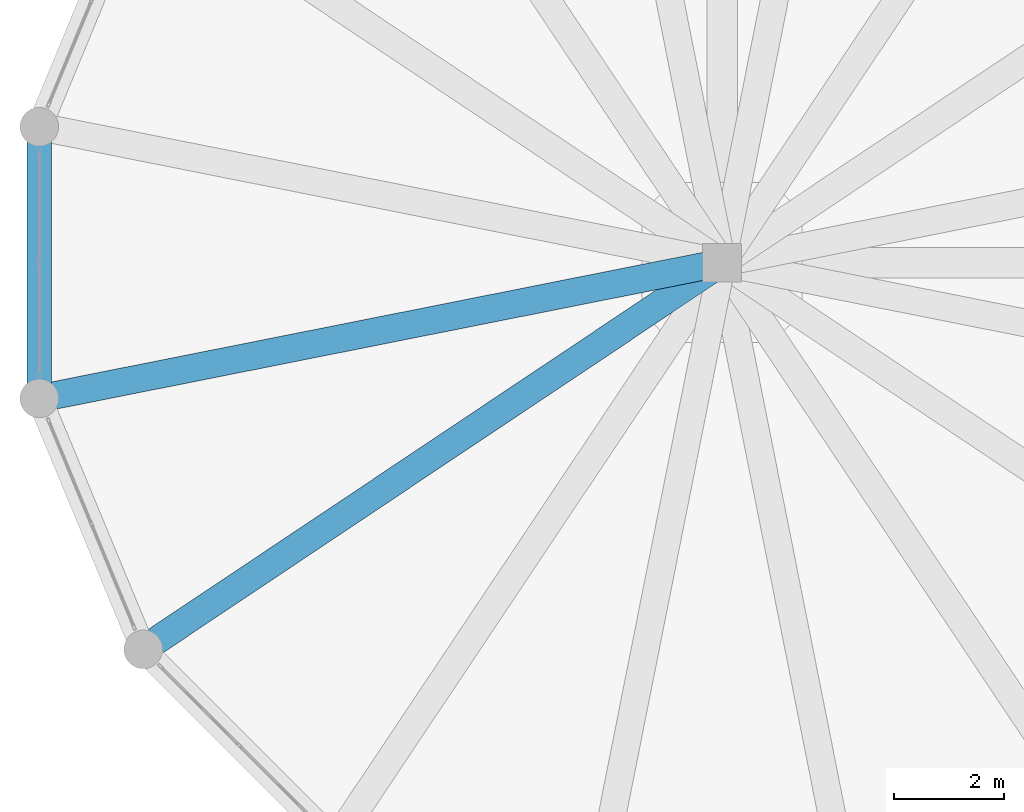
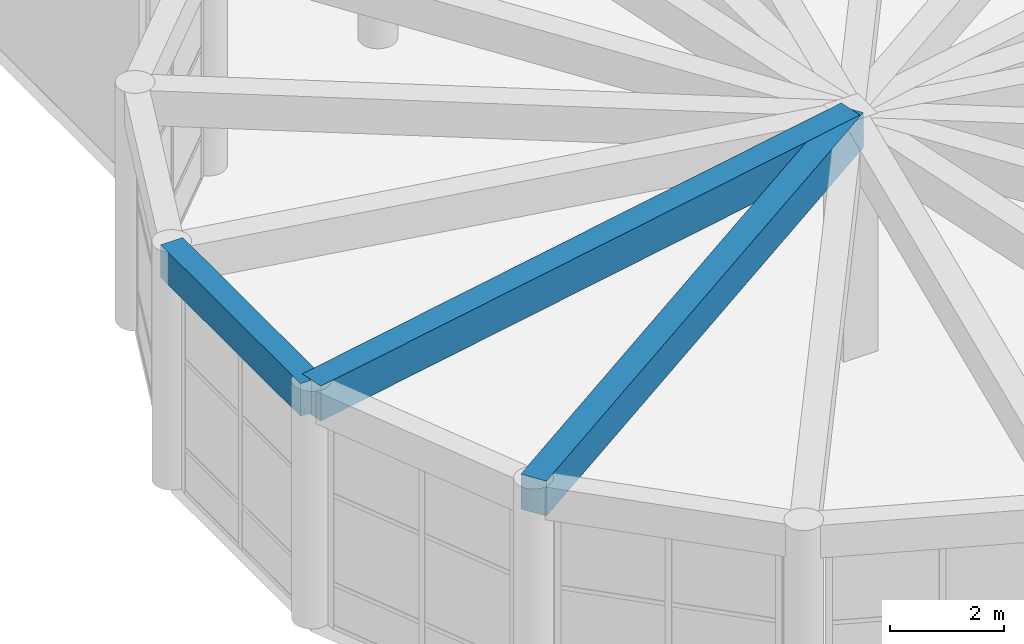
# One storey, part 8 of 96: 3 beams.
"""IFC4 building model written with IfcOpenShell, lengths in metres."""

from ifc_helpers import new_model, si_unit, direction, frame, origin, origin_2d, place, context, subcontext, project, spatial, rectangle, extrude, material, material_profile, profile_set, type_object, element, save


model = new_model("IFC4")

# Units and contexts
model_context = context("Model", 3, precision=1e-05, world=origin(), true_north=direction((0.0, 1.0)))
body_context = subcontext(model_context, "Body", "Model", "MODEL_VIEW")
ifc_project = project(units=[si_unit("LENGTHUNIT", "METRE"), si_unit("AREAUNIT", "SQUARE_METRE"), si_unit("VOLUMEUNIT", "CUBIC_METRE"), si_unit("PLANEANGLEUNIT", "RADIAN"), si_unit("MASSUNIT", "GRAM", prefix="KILO")], contexts=[model_context])

# Site, building, storey
site_placement = place(None, origin())
site = spatial("IfcSite", under=ifc_project, at=site_placement, CompositionType="ELEMENT")
building_placement = place(site_placement, origin())
building = spatial("IfcBuilding", under=site, at=building_placement, Name="Almacenes y Pasaje Nevantli", CompositionType="ELEMENT")
storey_placement = place(building_placement, frame((0.0, 0.0, 6.0)))
storey = spatial("IfcBuildingStorey", under=building, at=storey_placement, Name="L02", CompositionType="ELEMENT", Elevation=6.0)

# Beams
ifc_material_1 = material(Name="Concrete C35/45", Category="concrete")
ifc_material_profile_1 = material_profile(ifc_material_1, rectangle(XDim=0.449951171875, YDim=0.699951171875, at=origin_2d()), Name="RC-BM-450x700")
ifc_profile_set_1 = profile_set([ifc_material_profile_1], Name="Concrete C35/45")
beam_type_1 = type_object("IfcBeamType", Name="BM-RC-450x700", PredefinedType="SPANDREL", material=ifc_profile_set_1)
beam_1_placement = place(storey_placement, frame((-3.9580078125, 10.858154296875, 4.75), z_axis=(0.0, -1.0, 0.0), x_axis=(1.0, 0.0, 0.0)))
element("IfcBeam", 1, at=beam_1_placement, inside=storey, type_object=beam_type_1, Name="L02 Rotunda Ring Spandrel Beam #8", PredefinedType="SPANDREL", context=body_context, shape_type="SweptSolid", body=[
    extrude(rectangle(XDim=0.449951171875, YDim=0.699951171875, at=origin_2d()), origin(), (0.0, 0.0, 1.0), 4.916259765625),
])
ifc_material_2 = material(Name="Concrete C35/45", Category="concrete")
ifc_material_profile_2 = material_profile(ifc_material_2, rectangle(XDim=0.5, YDim=0.75, at=origin_2d()), Name="RC-BM-500x750")
ifc_profile_set_2 = profile_set([ifc_material_profile_2], Name="Concrete C35/45")
beam_type_2 = type_object("IfcBeamType", Name="BM-RC-500x750", PredefinedType="BEAM", material=ifc_profile_set_2)
beam_2_placement = place(storey_placement, frame((8.39990234375, 8.39990234375, 4.72509765625), z_axis=(-0.980787305424, -0.195080141274, 0.0), x_axis=(0.195080141274, -0.980787305424, 0.0)))
element("IfcBeam", 2, at=beam_2_placement, inside=storey, type_object=beam_type_2, Name="L02 Rotunda Radial Girder #9", PredefinedType="BEAM", context=body_context, shape_type="SweptSolid", body=[
    extrude(rectangle(XDim=0.5, YDim=0.75, at=origin_2d()), origin(), (0.0, 0.0, 1.0), 12.60009765625),
])
beam_3_placement = place(storey_placement, frame((8.39990234375, 8.39990234375, 4.72509765625), z_axis=(-0.831471523588, -0.555567372569, 0.0), x_axis=(0.555567372569, -0.831471523588, 0.0)))
element("IfcBeam", 3, at=beam_3_placement, inside=storey, type_object=beam_type_2, Name="L02 Rotunda Radial Girder #10", PredefinedType="BEAM", context=body_context, shape_type="SweptSolid", body=[
    extrude(rectangle(XDim=0.5, YDim=0.75, at=origin_2d()), origin(), (0.0, 0.0, 1.0), 12.599853515625),
])

save(model, "model.ifc")
